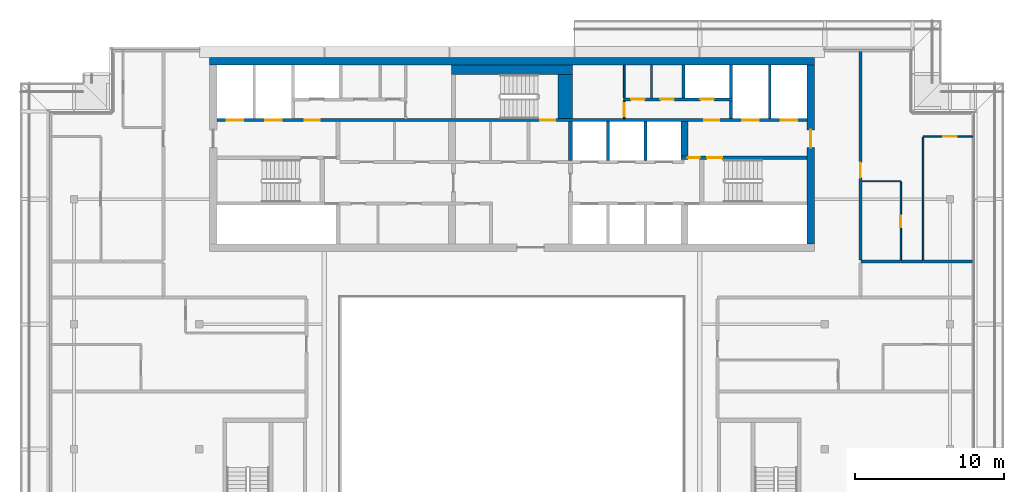
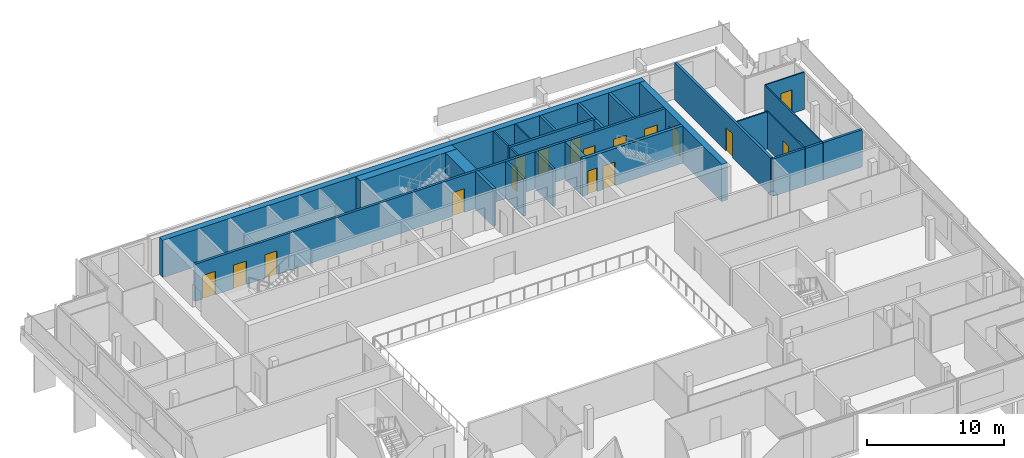
# One storey, part 20 of 27: 26 walls, 17 doors, 17 openings.
"""IFC4 building model written with IfcOpenShell, lengths in metres."""

from ifc_helpers import new_model, si_unit, direction, frame, frame_2d, origin, place, context, subcontext, project, spatial, rectangle, extrude, material, layer, layer_set, type_object, element, fill, save


model = new_model("IFC4")

# Units and contexts
model_context = context("Model", 3, precision=1e-05, world=origin(), true_north=direction((0.0, 1.0)))
body_context = subcontext(model_context, "Body", "Model", "MODEL_VIEW")
ifc_project = project(units=[si_unit("LENGTHUNIT", "METRE"), si_unit("AREAUNIT", "SQUARE_METRE"), si_unit("VOLUMEUNIT", "CUBIC_METRE"), si_unit("PLANEANGLEUNIT", "RADIAN"), si_unit("MASSUNIT", "GRAM", prefix="KILO")], contexts=[model_context])

# Site, building, storey
site_placement = place(None, origin())
site = spatial("IfcSite", under=ifc_project, at=site_placement, CompositionType="ELEMENT")
building_placement = place(site_placement, origin())
building = spatial("IfcBuilding", under=site, at=building_placement, Name="Saffron Gate Tower", CompositionType="ELEMENT")
storey_placement = place(building_placement, frame((0.0, 0.0, 274.35009765625)))
storey = spatial("IfcBuildingStorey", under=building, at=storey_placement, Name="L66", CompositionType="ELEMENT", Elevation=274.35009765625)

# Wall
ifc_material_1 = material(Name="Concrete C50", Category="concrete")
ifc_layer_1 = layer(ifc_material_1, 0.5)
ifc_layer_set_1 = layer_set([ifc_layer_1], Name="CW22 RC core wall 500 C50")
wall_type_1 = type_object("IfcWallType", Name="CW22 RC core wall 500 C50", PredefinedType="SOLIDWALL", material=ifc_layer_set_1)
wall_1_placement = place(storey_placement, frame((67.300048828125, 74.64990234375, 0.0), z_axis=(0.0, 0.0, 1.0), x_axis=(1.0, 0.0, 0.0)))
element("IfcWall", 1, at=wall_1_placement, inside=storey, type_object=wall_type_1, Name="Wall CW22-L66-2", PredefinedType="SOLIDWALL", context=body_context, shape_type="SweptSolid", body=[
    extrude(rectangle(XDim=40.599853515625, YDim=0.5, at=frame_2d((20.2998046875, 0.0))), origin(), (0.0, 0.0, 1.0), 3.31982421875),
])

# Wall, opening, door
wall_2_placement = place(storey_placement, frame((107.64990234375, 62.39990234375, 0.0), z_axis=(0.0, 0.0, 1.0), x_axis=(0.0, 1.0, 0.0)))
wall_2 = element("IfcWall", 2, at=wall_2_placement, inside=storey, type_object=wall_type_1, Name="Wall CW22-L66-4", PredefinedType="SOLIDWALL", context=body_context, shape_type="SweptSolid", body=[
    extrude(rectangle(XDim=12.0, YDim=0.5, at=frame_2d((6.0, 0.0))), origin(), (0.0, 0.0, 1.0), 3.31982421875),
])
opening_1_placement = place(wall_2_placement, frame((6.449951171875, 0.0, 0.0)))
opening_1 = element("IfcOpeningElement", 3, at=opening_1_placement, cuts=wall_2, Name="Opening CR-08", PredefinedType="OPENING", context=body_context, shape_type="SweptSolid", body=[
    extrude(rectangle(XDim=1.199951171875, YDim=2.10009765625, at=frame_2d((0.60009765625, 1.050048828125))), frame((0.0, 0.260009765625, 0.0), z_axis=(0.0, -1.0, 0.0), x_axis=(1.0, 0.0, 0.0)), (0.0, 0.0, 1.0), 0.52001953125),
])
ifc_material_2 = material(Name="Steel fire door set", Category="steel")
door_type_1 = type_object("IfcDoorType", Name="CD7 Core entrance door 1200x2100 EI 120", OperationType="NOTDEFINED", PredefinedType="DOOR", material=ifc_material_2)
door_1_placement = place(opening_1_placement, origin())
door_1 = element("IfcDoor", 4, at=door_1_placement, inside=storey, type_object=door_type_1, Name="DOOR CR-08", OperationType="SINGLE_SWING_RIGHT", OverallHeight=2.10009765625, OverallWidth=1.199951171875, PredefinedType="DOOR", context=body_context, shape_type="SweptSolid", body=[
    extrude(rectangle(XDim=1.199951171875, YDim=2.10009765625, at=frame_2d((0.60009765625, 1.050048828125))), frame((0.0, 0.02490234375, 0.0), z_axis=(0.0, -1.0, 0.0), x_axis=(1.0, 0.0, 0.0)), (0.0, 0.0, 1.0), 0.050048828125),
])
fill(opening_1, door_1)

# Wall
ifc_layer_2 = layer(ifc_material_1, 0.25)
ifc_layer_set_2 = layer_set([ifc_layer_2], Name="CW23 RC core wall 250 C50")
wall_type_2 = type_object("IfcWallType", Name="CW23 RC core wall 250 C50", PredefinedType="SOLIDWALL", material=ifc_layer_set_2)
wall_3_placement = place(storey_placement, frame((91.52490234375, 68.0, 0.0), z_axis=(0.0, 0.0, 1.0), x_axis=(0.0, 1.0, 0.0)))
element("IfcWall", 5, at=wall_3_placement, inside=storey, type_object=wall_type_2, Name="Wall CW23-L66-24", PredefinedType="SOLIDWALL", context=body_context, shape_type="SweptSolid", body=[
    extrude(rectangle(XDim=2.60009765625, YDim=0.25, at=frame_2d((1.300048828125, 0.0))), origin(), (0.0, 0.0, 1.0), 3.31982421875),
])

# Wall, openings, doors
wall_4_placement = place(storey_placement, frame((98.949951171875, 68.175048828125, 0.0), z_axis=(0.0, 0.0, 1.0), x_axis=(1.0, 0.0, 0.0)))
wall_4 = element("IfcWall", 6, at=wall_4_placement, inside=storey, type_object=wall_type_2, Name="Wall CW23-L66-29", PredefinedType="SOLIDWALL", context=body_context, shape_type="SweptSolid", body=[
    extrude(rectangle(XDim=8.449951171875, YDim=0.25, at=frame_2d((4.22509765625, 0.0))), origin(), (0.0, 0.0, 1.0), 3.31982421875),
])
opening_2_placement = place(wall_4_placement, frame((0.449951171875, 0.0, 0.0)))
opening_2 = element("IfcOpeningElement", 7, at=opening_2_placement, cuts=wall_4, Name="Opening CR-05", PredefinedType="OPENING", context=body_context, shape_type="SweptSolid", body=[
    extrude(rectangle(XDim=0.800048828125, YDim=2.10009765625, at=frame_2d((0.39990234375, 1.050048828125))), frame((0.0, 0.135009765625, 0.0), z_axis=(0.0, -1.0, 0.0), x_axis=(1.0, 0.0, 0.0)), (0.0, 0.0, 1.0), 0.27001953125),
])
opening_3_placement = place(wall_4_placement, frame((1.75, 0.0, 0.0)))
opening_3 = element("IfcOpeningElement", 8, at=opening_3_placement, cuts=wall_4, Name="Opening CR-16", PredefinedType="OPENING", context=body_context, shape_type="SweptSolid", body=[
    extrude(rectangle(XDim=1.0, YDim=2.10009765625, at=frame_2d((0.5, 1.050048828125))), frame((0.0, 0.135009765625, 0.0), z_axis=(0.0, -1.0, 0.0), x_axis=(1.0, 0.0, 0.0)), (0.0, 0.0, 1.0), 0.27001953125),
])
door_type_2 = type_object("IfcDoorType", Name="CD5 Stair door 1000x2100 EI 120", OperationType="NOTDEFINED", PredefinedType="DOOR", material=ifc_material_2)
door_2_placement = place(opening_3_placement, origin())
door_2 = element("IfcDoor", 9, at=door_2_placement, inside=storey, type_object=door_type_2, Name="DOOR CR-16", OperationType="SINGLE_SWING_RIGHT", OverallHeight=2.10009765625, OverallWidth=1.0, PredefinedType="DOOR", context=body_context, shape_type="SweptSolid", body=[
    extrude(rectangle(XDim=1.0, YDim=2.10009765625, at=frame_2d((0.5, 1.050048828125))), frame((0.0, 0.02490234375, 0.0), z_axis=(0.0, -1.0, 0.0), x_axis=(1.0, 0.0, 0.0)), (0.0, 0.0, 1.0), 0.050048828125),
])
fill(opening_3, door_2)
door_type_3 = type_object("IfcDoorType", Name="CD6 Lobby door 800x2100 EI 120", OperationType="NOTDEFINED", PredefinedType="DOOR", material=ifc_material_2)
door_3_placement = place(opening_2_placement, origin())
door_3 = element("IfcDoor", 10, at=door_3_placement, inside=storey, type_object=door_type_3, Name="DOOR CR-05", OperationType="SINGLE_SWING_LEFT", OverallHeight=2.10009765625, OverallWidth=0.800048828125, PredefinedType="DOOR", context=body_context, shape_type="SweptSolid", body=[
    extrude(rectangle(XDim=0.800048828125, YDim=2.10009765625, at=frame_2d((0.39990234375, 1.050048828125))), frame((0.0, 0.02490234375, 0.0), z_axis=(0.0, -1.0, 0.0), x_axis=(1.0, 0.0, 0.0)), (0.0, 0.0, 1.0), 0.050048828125),
])
fill(opening_2, door_3)

# Walls
ifc_layer_3 = layer(ifc_material_1, 0.449951171875)
ifc_layer_set_3 = layer_set([ifc_layer_3], Name="CW24 RC core wall 450 C50")
wall_type_3 = type_object("IfcWallType", Name="CW24 RC core wall 450 C50", PredefinedType="SOLIDWALL", material=ifc_layer_set_3)
wall_5_placement = place(storey_placement, frame((99.175048828125, 68.300048828125, 0.0), z_axis=(0.0, 0.0, 1.0), x_axis=(0.0, 1.0, 0.0)))
element("IfcWall", 11, at=wall_5_placement, inside=storey, type_object=wall_type_3, Name="Wall CW24-L66-31", PredefinedType="SOLIDWALL", context=body_context, shape_type="SweptSolid", body=[
    extrude(rectangle(XDim=2.300048828125, YDim=0.449951171875, at=frame_2d((1.14990234375, 0.0))), origin(), (0.0, 0.0, 1.0), 3.31982421875),
])
ifc_layer_4 = layer(ifc_material_1, 0.199951171875)
ifc_layer_set_4 = layer_set([ifc_layer_4], Name="CW25 RC core wall 200 C50")
wall_type_4 = type_object("IfcWallType", Name="CW25 RC core wall 200 C50", PredefinedType="SOLIDWALL", material=ifc_layer_set_4)
for number, where, z_axis, x_axis, name in (
    (12, (94.050048828125, 68.0, 0.0), (0.0, 0.0, 1.0), (0.0, 1.0, 0.0), "Wall CW25-L66-25"),
    (13, (96.550048828125, 68.0, 0.0), (0.0, 0.0, 1.0), (0.0, 1.0, 0.0), "Wall CW25-L66-26"),
):
    element("IfcWall", number, at=place(storey_placement, frame(where, z_axis=z_axis, x_axis=x_axis)), inside=storey, type_object=wall_type_4, Name=name, PredefinedType="SOLIDWALL", context=body_context, shape_type="SweptSolid", body=[
        extrude(rectangle(XDim=2.60009765625, YDim=0.199951171875, at=frame_2d((1.300048828125, 0.0))), origin(), (0.0, 0.0, 1.0), 3.31982421875),
    ])

# Wall, openings, doors
wall_6_placement = place(storey_placement, frame((67.800048828125, 70.699951171875, 0.0), z_axis=(0.0, 0.0, 1.0), x_axis=(1.0, 0.0, 0.0)))
wall_6 = element("IfcWall", 14, at=wall_6_placement, inside=storey, type_object=wall_type_4, Name="Wall CW25-L66-32", PredefinedType="SOLIDWALL", context=body_context, shape_type="SweptSolid", body=[
    extrude(rectangle(XDim=39.599853515625, YDim=0.199951171875, at=frame_2d((19.7998046875, 0.0))), origin(), (0.0, 0.0, 1.0), 3.31982421875),
])
opening_4_placement = place(wall_6_placement, frame((0.64990234375, 0.0, 0.0)))
opening_4 = element("IfcOpeningElement", 15, at=opening_4_placement, cuts=wall_6, Name="Opening LD-FF1", PredefinedType="OPENING", context=body_context, shape_type="SweptSolid", body=[
    extrude(rectangle(XDim=1.10009765625, YDim=2.10009765625, at=frame_2d((0.550048828125, 1.050048828125))), frame((0.0, 0.10986328125, 0.0), z_axis=(0.0, -1.0, 0.0), x_axis=(1.0, 0.0, 0.0)), (0.0, 0.0, 1.0), 0.219970703125),
])
opening_5_placement = place(wall_6_placement, frame((3.25, 0.0, 0.0)))
opening_5 = element("IfcOpeningElement", 16, at=opening_5_placement, cuts=wall_6, Name="Opening LD-SV1", PredefinedType="OPENING", context=body_context, shape_type="SweptSolid", body=[
    extrude(rectangle(XDim=1.10009765625, YDim=2.10009765625, at=frame_2d((0.550048828125, 1.050048828125))), frame((0.0, 0.10986328125, 0.0), z_axis=(0.0, -1.0, 0.0), x_axis=(1.0, 0.0, 0.0)), (0.0, 0.0, 1.0), 0.219970703125),
])
opening_6_placement = place(wall_6_placement, frame((5.89990234375, 0.0, 0.0)))
opening_6 = element("IfcOpeningElement", 17, at=opening_6_placement, cuts=wall_6, Name="Opening CR-03", PredefinedType="OPENING", context=body_context, shape_type="SweptSolid", body=[
    extrude(rectangle(XDim=1.0, YDim=2.10009765625, at=frame_2d((0.5, 1.050048828125))), frame((0.0, 0.10986328125, 0.0), z_axis=(0.0, -1.0, 0.0), x_axis=(1.0, 0.0, 0.0)), (0.0, 0.0, 1.0), 0.219970703125),
])
opening_7_placement = place(wall_6_placement, frame((21.699951171875, 0.0, 0.0)))
opening_7 = element("IfcOpeningElement", 18, at=opening_7_placement, cuts=wall_6, Name="Opening CR-17", PredefinedType="OPENING", context=body_context, shape_type="SweptSolid", body=[
    extrude(rectangle(XDim=1.0, YDim=2.10009765625, at=frame_2d((0.5, 1.050048828125))), frame((0.0, 0.10986328125, 0.0), z_axis=(0.0, -1.0, 0.0), x_axis=(1.0, 0.0, 0.0)), (0.0, 0.0, 1.0), 0.219970703125),
])
opening_8_placement = place(wall_6_placement, frame((32.699951171875, 0.0, 0.0)))
opening_8 = element("IfcOpeningElement", 19, at=opening_8_placement, cuts=wall_6, Name="Opening CR-04", PredefinedType="OPENING", context=body_context, shape_type="SweptSolid", body=[
    extrude(rectangle(XDim=1.0, YDim=2.10009765625, at=frame_2d((0.5, 1.050048828125))), frame((0.0, 0.10986328125, 0.0), z_axis=(0.0, -1.0, 0.0), x_axis=(1.0, 0.0, 0.0)), (0.0, 0.0, 1.0), 0.219970703125),
])
opening_9_placement = place(wall_6_placement, frame((35.25, 0.0, 0.0)))
opening_9 = element("IfcOpeningElement", 20, at=opening_9_placement, cuts=wall_6, Name="Opening LD-SV2", PredefinedType="OPENING", context=body_context, shape_type="SweptSolid", body=[
    extrude(rectangle(XDim=1.10009765625, YDim=2.10009765625, at=frame_2d((0.550048828125, 1.050048828125))), frame((0.0, 0.10986328125, 0.0), z_axis=(0.0, -1.0, 0.0), x_axis=(1.0, 0.0, 0.0)), (0.0, 0.0, 1.0), 0.219970703125),
])
opening_10_placement = place(wall_6_placement, frame((37.85009765625, 0.0, 0.0)))
opening_10 = element("IfcOpeningElement", 21, at=opening_10_placement, cuts=wall_6, Name="Opening LD-FF2", PredefinedType="OPENING", context=body_context, shape_type="SweptSolid", body=[
    extrude(rectangle(XDim=1.10009765625, YDim=2.10009765625, at=frame_2d((0.550048828125, 1.050048828125))), frame((0.0, 0.10986328125, 0.0), z_axis=(0.0, -1.0, 0.0), x_axis=(1.0, 0.0, 0.0)), (0.0, 0.0, 1.0), 0.219970703125),
])
door_type_4 = type_object("IfcDoorType", Name="CD4 Lobby door 1000x2100 EI 120", OperationType="NOTDEFINED", PredefinedType="DOOR", material=ifc_material_2)
door_4_placement = place(opening_6_placement, origin())
door_4 = element("IfcDoor", 22, at=door_4_placement, inside=storey, type_object=door_type_4, Name="DOOR CR-03", OperationType="SINGLE_SWING_LEFT", OverallHeight=2.10009765625, OverallWidth=1.0, PredefinedType="DOOR", context=body_context, shape_type="SweptSolid", body=[
    extrude(rectangle(XDim=1.0, YDim=2.10009765625, at=frame_2d((0.5, 1.050048828125))), frame((0.0, 0.02490234375, 0.0), z_axis=(0.0, -1.0, 0.0), x_axis=(1.0, 0.0, 0.0)), (0.0, 0.0, 1.0), 0.050048828125),
])
fill(opening_6, door_4)
door_5_placement = place(opening_8_placement, origin())
door_5 = element("IfcDoor", 23, at=door_5_placement, inside=storey, type_object=door_type_4, Name="DOOR CR-04", OperationType="SINGLE_SWING_RIGHT", OverallHeight=2.10009765625, OverallWidth=1.0, PredefinedType="DOOR", context=body_context, shape_type="SweptSolid", body=[
    extrude(rectangle(XDim=1.0, YDim=2.10009765625, at=frame_2d((0.5, 1.050048828125))), frame((0.0, 0.02490234375, 0.0), z_axis=(0.0, -1.0, 0.0), x_axis=(1.0, 0.0, 0.0)), (0.0, 0.0, 1.0), 0.050048828125),
])
fill(opening_8, door_5)
door_6_placement = place(opening_7_placement, origin())
door_6 = element("IfcDoor", 24, at=door_6_placement, inside=storey, type_object=door_type_2, Name="DOOR CR-17", OperationType="SINGLE_SWING_RIGHT", OverallHeight=2.10009765625, OverallWidth=1.0, PredefinedType="DOOR", context=body_context, shape_type="SweptSolid", body=[
    extrude(rectangle(XDim=1.0, YDim=2.10009765625, at=frame_2d((0.5, 1.050048828125))), frame((0.0, 0.02490234375, 0.0), z_axis=(0.0, -1.0, 0.0), x_axis=(1.0, 0.0, 0.0)), (0.0, 0.0, 1.0), 0.050048828125),
])
fill(opening_7, door_6)
ifc_material_3 = material(Name="Stainless steel landing door", Category="steel")
door_type_5 = type_object("IfcDoorType", Name="LD Lift landing door 1100x2100 EI 120", OperationType="SLIDING_TO_LEFT", PredefinedType="DOOR", material=ifc_material_3)
door_7_placement = place(opening_4_placement, origin())
door_7 = element("IfcDoor", 25, at=door_7_placement, inside=storey, type_object=door_type_5, Name="LANDING DOOR LD-FF1", OperationType="SLIDING_TO_RIGHT", OverallHeight=2.10009765625, OverallWidth=1.10009765625, PredefinedType="DOOR", context=body_context, shape_type="SweptSolid", body=[
    extrude(rectangle(XDim=1.10009765625, YDim=2.10009765625, at=frame_2d((0.550048828125, 1.050048828125))), frame((0.0, 0.02490234375, 0.0), z_axis=(0.0, -1.0, 0.0), x_axis=(1.0, 0.0, 0.0)), (0.0, 0.0, 1.0), 0.050048828125),
])
fill(opening_4, door_7)
door_8_placement = place(opening_5_placement, origin())
door_8 = element("IfcDoor", 26, at=door_8_placement, inside=storey, type_object=door_type_5, Name="LANDING DOOR LD-SV1", OperationType="SLIDING_TO_RIGHT", OverallHeight=2.10009765625, OverallWidth=1.10009765625, PredefinedType="DOOR", context=body_context, shape_type="SweptSolid", body=[
    extrude(rectangle(XDim=1.10009765625, YDim=2.10009765625, at=frame_2d((0.550048828125, 1.050048828125))), frame((0.0, 0.02490234375, 0.0), z_axis=(0.0, -1.0, 0.0), x_axis=(1.0, 0.0, 0.0)), (0.0, 0.0, 1.0), 0.050048828125),
])
fill(opening_5, door_8)
door_9_placement = place(opening_9_placement, origin())
door_9 = element("IfcDoor", 27, at=door_9_placement, inside=storey, type_object=door_type_5, Name="LANDING DOOR LD-SV2", OperationType="SLIDING_TO_RIGHT", OverallHeight=2.10009765625, OverallWidth=1.10009765625, PredefinedType="DOOR", context=body_context, shape_type="SweptSolid", body=[
    extrude(rectangle(XDim=1.10009765625, YDim=2.10009765625, at=frame_2d((0.550048828125, 1.050048828125))), frame((0.0, 0.02490234375, 0.0), z_axis=(0.0, -1.0, 0.0), x_axis=(1.0, 0.0, 0.0)), (0.0, 0.0, 1.0), 0.050048828125),
])
fill(opening_9, door_9)
door_10_placement = place(opening_10_placement, origin())
door_10 = element("IfcDoor", 28, at=door_10_placement, inside=storey, type_object=door_type_5, Name="LANDING DOOR LD-FF2", OperationType="SLIDING_TO_RIGHT", OverallHeight=2.10009765625, OverallWidth=1.10009765625, PredefinedType="DOOR", context=body_context, shape_type="SweptSolid", body=[
    extrude(rectangle(XDim=1.10009765625, YDim=2.10009765625, at=frame_2d((0.550048828125, 1.050048828125))), frame((0.0, 0.02490234375, 0.0), z_axis=(0.0, -1.0, 0.0), x_axis=(1.0, 0.0, 0.0)), (0.0, 0.0, 1.0), 0.050048828125),
])
fill(opening_10, door_10)

# Walls
wall_7_placement = place(storey_placement, frame((102.300048828125, 70.800048828125, 0.0), z_axis=(0.0, 0.0, 1.0), x_axis=(0.0, 1.0, 0.0)))
element("IfcWall", 29, at=wall_7_placement, inside=storey, type_object=wall_type_4, Name="Wall CW25-L66-39", PredefinedType="SOLIDWALL", context=body_context, shape_type="SweptSolid", body=[
    extrude(rectangle(XDim=1.199951171875, YDim=0.199951171875, at=frame_2d((0.60009765625, 0.0))), origin(), (0.0, 0.0, 1.0), 3.31982421875),
])
wall_8_placement = place(storey_placement, frame((104.89990234375, 70.800048828125, 0.0), z_axis=(0.0, 0.0, 1.0), x_axis=(0.0, 1.0, 0.0)))
element("IfcWall", 30, at=wall_8_placement, inside=storey, type_object=wall_type_4, Name="Wall CW25-L66-40", PredefinedType="SOLIDWALL", context=body_context, shape_type="SweptSolid", body=[
    extrude(rectangle(XDim=3.599853515625, YDim=0.199951171875, at=frame_2d((1.7998046875, 0.0))), origin(), (0.0, 0.0, 1.0), 3.31982421875),
])

# Wall, openings, doors
wall_9_placement = place(storey_placement, frame((95.080078125, 72.10009765625, 0.0), z_axis=(0.0, 0.0, 1.0), x_axis=(1.0, 0.0, 0.0)))
wall_9 = element("IfcWall", 31, at=wall_9_placement, inside=storey, type_object=wall_type_4, Name="Wall CW25-L66-42", PredefinedType="SOLIDWALL", context=body_context, shape_type="SweptSolid", body=[
    extrude(rectangle(XDim=7.31982421875, YDim=0.199951171875, at=frame_2d((3.659912109375, 0.0))), origin(), (0.0, 0.0, 1.0), 3.31982421875),
])
opening_11_placement = place(wall_9_placement, frame((0.52001953125, 0.0, 0.0)))
opening_11 = element("IfcOpeningElement", 32, at=opening_11_placement, cuts=wall_9, Name="Opening CR-50", PredefinedType="OPENING", context=body_context, shape_type="SweptSolid", body=[
    extrude(rectangle(XDim=0.89990234375, YDim=2.10009765625, at=frame_2d((0.449951171875, 1.050048828125))), frame((0.0, 0.10986328125, 0.0), z_axis=(0.0, -1.0, 0.0), x_axis=(1.0, 0.0, 0.0)), (0.0, 0.0, 1.0), 0.219970703125),
])
opening_12_placement = place(wall_9_placement, frame((2.47998046875, 0.0, 0.0)))
opening_12 = element("IfcOpeningElement", 33, at=opening_12_placement, cuts=wall_9, Name="Opening CR-53", PredefinedType="OPENING", context=body_context, shape_type="SweptSolid", body=[
    extrude(rectangle(XDim=0.89990234375, YDim=2.10009765625, at=frame_2d((0.449951171875, 1.050048828125))), frame((0.0, 0.10986328125, 0.0), z_axis=(0.0, -1.0, 0.0), x_axis=(1.0, 0.0, 0.0)), (0.0, 0.0, 1.0), 0.219970703125),
])
opening_13_placement = place(wall_9_placement, frame((5.169921875, 0.0, 0.0)))
opening_13 = element("IfcOpeningElement", 34, at=opening_13_placement, cuts=wall_9, Name="Opening CR-70", PredefinedType="OPENING", context=body_context, shape_type="SweptSolid", body=[
    extrude(rectangle(XDim=0.89990234375, YDim=2.10009765625, at=frame_2d((0.449951171875, 1.050048828125))), frame((0.0, 0.10986328125, 0.0), z_axis=(0.0, -1.0, 0.0), x_axis=(1.0, 0.0, 0.0)), (0.0, 0.0, 1.0), 0.219970703125),
])
door_type_6 = type_object("IfcDoorType", Name="CD2 Riser door 900x2100 EI 60", OperationType="NOTDEFINED", PredefinedType="DOOR", material=ifc_material_2)
door_11_placement = place(opening_13_placement, origin())
door_11 = element("IfcDoor", 35, at=door_11_placement, inside=storey, type_object=door_type_6, Name="DOOR CR-70", OperationType="SINGLE_SWING_LEFT", OverallHeight=2.10009765625, OverallWidth=0.89990234375, PredefinedType="DOOR", context=body_context, shape_type="SweptSolid", body=[
    extrude(rectangle(XDim=0.89990234375, YDim=2.10009765625, at=frame_2d((0.449951171875, 1.050048828125))), frame((0.0, 0.02490234375, 0.0), z_axis=(0.0, -1.0, 0.0), x_axis=(1.0, 0.0, 0.0)), (0.0, 0.0, 1.0), 0.050048828125),
])
fill(opening_13, door_11)
door_type_7 = type_object("IfcDoorType", Name="CD9 Room door 900x2100 EI 60", OperationType="NOTDEFINED", PredefinedType="DOOR", material=ifc_material_2)
door_12_placement = place(opening_11_placement, origin())
door_12 = element("IfcDoor", 36, at=door_12_placement, inside=storey, type_object=door_type_7, Name="DOOR CR-50", OperationType="SINGLE_SWING_LEFT", OverallHeight=2.10009765625, OverallWidth=0.89990234375, PredefinedType="DOOR", context=body_context, shape_type="SweptSolid", body=[
    extrude(rectangle(XDim=0.89990234375, YDim=2.10009765625, at=frame_2d((0.449951171875, 1.050048828125))), frame((0.0, 0.02490234375, 0.0), z_axis=(0.0, -1.0, 0.0), x_axis=(1.0, 0.0, 0.0)), (0.0, 0.0, 1.0), 0.050048828125),
])
fill(opening_11, door_12)
door_13_placement = place(opening_12_placement, origin())
door_13 = element("IfcDoor", 37, at=door_13_placement, inside=storey, type_object=door_type_7, Name="DOOR CR-53", OperationType="SINGLE_SWING_LEFT", OverallHeight=2.10009765625, OverallWidth=0.89990234375, PredefinedType="DOOR", context=body_context, shape_type="SweptSolid", body=[
    extrude(rectangle(XDim=0.89990234375, YDim=2.10009765625, at=frame_2d((0.449951171875, 1.050048828125))), frame((0.0, 0.02490234375, 0.0), z_axis=(0.0, -1.0, 0.0), x_axis=(1.0, 0.0, 0.0)), (0.0, 0.0, 1.0), 0.050048828125),
])
fill(opening_12, door_13)

# Walls
for number, where, z_axis, x_axis, name in (
    (38, (99.10009765625, 72.199951171875, 0.0), (0.0, 0.0, 1.0), (0.0, 1.0, 0.0), "Wall CW25-L66-49"),
    (39, (102.300048828125, 72.199951171875, 0.0), (0.0, 0.0, 1.0), (0.0, 1.0, 0.0), "Wall CW25-L66-50"),
):
    element("IfcWall", number, at=place(storey_placement, frame(where, z_axis=z_axis, x_axis=x_axis)), inside=storey, type_object=wall_type_4, Name=name, PredefinedType="SOLIDWALL", context=body_context, shape_type="SweptSolid", body=[
        extrude(rectangle(XDim=2.199951171875, YDim=0.199951171875, at=frame_2d((1.10009765625, 0.0))), origin(), (0.0, 0.0, 1.0), 3.31982421875),
    ])
ifc_layer_5 = layer(ifc_material_1, 0.949951171875)
ifc_layer_set_5 = layer_set([ifc_layer_5], Name="CW28 RC core wall 950 C50")
wall_type_5 = type_object("IfcWallType", Name="CW28 RC core wall 950 C50", PredefinedType="SOLIDWALL", material=ifc_layer_set_5)
wall_10_placement = place(storey_placement, frame((91.175048828125, 70.800048828125, 0.0), z_axis=(0.0, 0.0, 1.0), x_axis=(0.0, 1.0, 0.0)))
element("IfcWall", 40, at=wall_10_placement, inside=storey, type_object=wall_type_5, Name="Wall CW28-L66-37", PredefinedType="SOLIDWALL", context=body_context, shape_type="SweptSolid", body=[
    extrude(rectangle(XDim=2.949951171875, YDim=0.949951171875, at=frame_2d((1.47509765625, 0.0))), origin(), (0.0, 0.0, 1.0), 3.31982421875),
])
ifc_layer_6 = layer(ifc_material_1, 0.64990234375)
ifc_layer_set_6 = layer_set([ifc_layer_6], Name="CW29 RC core wall 650 C50")
wall_type_6 = type_object("IfcWallType", Name="CW29 RC core wall 650 C50", PredefinedType="SOLIDWALL", material=ifc_layer_set_6)
wall_11_placement = place(storey_placement, frame((83.550048828125, 74.074951171875, 0.0), z_axis=(0.0, 0.0, 1.0), x_axis=(1.0, 0.0, 0.0)))
element("IfcWall", 41, at=wall_11_placement, inside=storey, type_object=wall_type_6, Name="Wall CW29-L66-51", PredefinedType="SOLIDWALL", context=body_context, shape_type="SweptSolid", body=[
    extrude(rectangle(XDim=8.099853515625, YDim=0.64990234375, at=frame_2d((4.0498046875, 0.0))), origin(), (0.0, 0.0, 1.0), 3.31982421875),
])

# Wall, opening, door
ifc_material_4 = material(Name="Gypsum board partition on steel studs", Category="steel")
ifc_layer_7 = layer(ifc_material_4, 0.1201171875)
ifc_layer_set_7 = layer_set([ifc_layer_7], Name="CW8 Core partition 120")
wall_type_7 = type_object("IfcWallType", Name="CW8 Core partition 120", PredefinedType="PARTITIONING", material=ifc_layer_set_7)
wall_12_placement = place(storey_placement, frame((95.139892578125, 70.800048828125, 0.0), z_axis=(0.0, 0.0, 1.0), x_axis=(0.0, 1.0, 0.0)))
wall_12 = element("IfcWall", 42, at=wall_12_placement, inside=storey, type_object=wall_type_7, Name="Wall CW8-L66-38", PredefinedType="PARTITIONING", context=body_context, shape_type="SweptSolid", body=[
    extrude(rectangle(XDim=1.199951171875, YDim=0.1201171875, at=frame_2d((0.60009765625, 0.0))), origin(), (0.0, 0.0, 1.0), 3.31982421875),
])
opening_14_placement = place(wall_12_placement, frame((0.14990234375, 0.0, 0.0)))
opening_14 = element("IfcOpeningElement", 43, at=opening_14_placement, cuts=wall_12, Name="Opening CR-54", PredefinedType="OPENING", context=body_context, shape_type="SweptSolid", body=[
    extrude(rectangle(XDim=0.89990234375, YDim=2.10009765625, at=frame_2d((0.449951171875, 1.050048828125))), frame((0.0, 0.070068359375, 0.0), z_axis=(0.0, -1.0, 0.0), x_axis=(1.0, 0.0, 0.0)), (0.0, 0.0, 1.0), 0.14013671875),
])
door_14_placement = place(opening_14_placement, origin())
door_14 = element("IfcDoor", 44, at=door_14_placement, inside=storey, type_object=door_type_7, Name="DOOR CR-54", OperationType="SINGLE_SWING_LEFT", OverallHeight=2.10009765625, OverallWidth=0.89990234375, PredefinedType="DOOR", context=body_context, shape_type="SweptSolid", body=[
    extrude(rectangle(XDim=0.89990234375, YDim=2.10009765625, at=frame_2d((0.449951171875, 1.050048828125))), frame((0.0, 0.02490234375, 0.0), z_axis=(0.0, -1.0, 0.0), x_axis=(1.0, 0.0, 0.0)), (0.0, 0.0, 1.0), 0.050048828125),
])
fill(opening_14, door_14)

# Walls
for number, where, z_axis, x_axis, name in (
    (45, (95.139892578125, 72.199951171875, 0.0), (0.0, 0.0, 1.0), (0.0, 1.0, 0.0), "Wall CW8-L66-47"),
    (46, (96.9599609375, 72.199951171875, 0.0), (0.0, 0.0, 1.0), (0.0, 1.0, 0.0), "Wall CW8-L66-48"),
):
    element("IfcWall", number, at=place(storey_placement, frame(where, z_axis=z_axis, x_axis=x_axis)), inside=storey, type_object=wall_type_7, Name=name, PredefinedType="PARTITIONING", context=body_context, shape_type="SweptSolid", body=[
        extrude(rectangle(XDim=2.199951171875, YDim=0.1201171875, at=frame_2d((1.10009765625, 0.0))), origin(), (0.0, 0.0, 1.0), 3.31982421875),
    ])
ifc_material_5 = material(Name="Plasterboard on steel studs", Category="steel")
ifc_layer_8 = layer(ifc_material_5, 0.10009765625)
ifc_layer_set_8 = layer_set([ifc_layer_8], Name="PW1 Partition 100")
wall_type_8 = type_object("IfcWallType", Name="PW1 Partition 100", PredefinedType="PARTITIONING", material=ifc_layer_set_8)
wall_13_placement = place(storey_placement, frame((111.10009765625, 66.60009765625, 0.0), z_axis=(0.0, 0.0, 1.0), x_axis=(1.0, 0.0, 0.0)))
element("IfcWall", 47, at=wall_13_placement, inside=storey, type_object=wall_type_8, Name="Partition E3-28", PredefinedType="PARTITIONING", context=body_context, shape_type="SweptSolid", body=[
    extrude(rectangle(XDim=2.599853515625, YDim=0.10009765625, at=frame_2d((1.2998046875, 0.0))), origin(), (0.0, 0.0, 1.0), 3.31982421875),
])

# Wall, opening, door
wall_14_placement = place(storey_placement, frame((118.52001953125, 69.60009765625, 0.0), z_axis=(0.0, 0.0, 1.0), x_axis=(-1.0, 0.0, 0.0)))
wall_14 = element("IfcWall", 48, at=wall_14_placement, inside=storey, type_object=wall_type_8, Name="Partition E3-30", PredefinedType="PARTITIONING", context=body_context, shape_type="SweptSolid", body=[
    extrude(rectangle(XDim=3.320068359375, YDim=0.10009765625, at=frame_2d((1.66015625, 0.0))), origin(), (0.0, 0.0, 1.0), 3.31982421875),
])
opening_15_placement = place(wall_14_placement, frame((1.070068359375, 0.0, 0.0)))
opening_15 = element("IfcOpeningElement", 49, at=opening_15_placement, cuts=wall_14, Name="Opening E3-21", PredefinedType="OPENING", context=body_context, shape_type="SweptSolid", body=[
    extrude(rectangle(XDim=0.89990234375, YDim=2.10009765625, at=frame_2d((0.449951171875, 1.050048828125))), frame((0.0, 0.06005859375, 0.0), z_axis=(0.0, -1.0, 0.0), x_axis=(1.0, 0.0, 0.0)), (0.0, 0.0, 1.0), 0.1201171875),
])
ifc_material_6 = material(Name="Timber door set", Category="wood")
door_type_8 = type_object("IfcDoorType", Name="RD1 Room door 900x2100", OperationType="NOTDEFINED", PredefinedType="DOOR", material=ifc_material_6)
door_15_placement = place(opening_15_placement, origin())
door_15 = element("IfcDoor", 50, at=door_15_placement, inside=storey, type_object=door_type_8, Name="Door E3-21", OperationType="SINGLE_SWING_LEFT", OverallHeight=2.10009765625, OverallWidth=0.89990234375, PredefinedType="DOOR", context=body_context, shape_type="SweptSolid", body=[
    extrude(rectangle(XDim=0.89990234375, YDim=2.10009765625, at=frame_2d((0.449951171875, 1.050048828125))), frame((0.0, 0.02490234375, 0.0), z_axis=(0.0, -1.0, 0.0), x_axis=(1.0, 0.0, 0.0)), (0.0, 0.0, 1.0), 0.050048828125),
])
fill(opening_15, door_15)

wall_15_placement = place(storey_placement, frame((113.699951171875, 61.300048828125, 0.0), z_axis=(0.0, 0.0, 1.0), x_axis=(0.0, 1.0, 0.0)))
wall_15 = element("IfcWall", 51, at=wall_15_placement, inside=storey, type_object=wall_type_8, Name="Partition E3-71", PredefinedType="PARTITIONING", context=body_context, shape_type="SweptSolid", body=[
    extrude(rectangle(XDim=5.25, YDim=0.10009765625, at=frame_2d((2.625, 0.0))), origin(), (0.0, 0.0, 1.0), 3.31982421875),
])
opening_16_placement = place(wall_15_placement, frame((2.199951171875, 0.0, 0.0)))
opening_16 = element("IfcOpeningElement", 52, at=opening_16_placement, cuts=wall_15, Name="Opening E3-31", PredefinedType="OPENING", context=body_context, shape_type="SweptSolid", body=[
    extrude(rectangle(XDim=0.800048828125, YDim=2.10009765625, at=frame_2d((0.39990234375, 1.050048828125))), frame((0.0, 0.06005859375, 0.0), z_axis=(0.0, -1.0, 0.0), x_axis=(1.0, 0.0, 0.0)), (0.0, 0.0, 1.0), 0.1201171875),
])
door_type_9 = type_object("IfcDoorType", Name="RD2 Bathroom door 800x2100", OperationType="NOTDEFINED", PredefinedType="DOOR", material=ifc_material_6)
door_16_placement = place(opening_16_placement, origin())
door_16 = element("IfcDoor", 53, at=door_16_placement, inside=storey, type_object=door_type_9, Name="Door E3-31", OperationType="SINGLE_SWING_LEFT", OverallHeight=2.10009765625, OverallWidth=0.800048828125, PredefinedType="DOOR", context=body_context, shape_type="SweptSolid", body=[
    extrude(rectangle(XDim=0.800048828125, YDim=2.10009765625, at=frame_2d((0.39990234375, 1.050048828125))), frame((0.0, 0.02490234375, 0.0), z_axis=(0.0, -1.0, 0.0), x_axis=(1.0, 0.0, 0.0)), (0.0, 0.0, 1.0), 0.050048828125),
])
fill(opening_16, door_16)

# Wall
wall_16_placement = place(storey_placement, frame((115.199951171875, 69.550048828125, 0.0), z_axis=(0.0, 0.0, 1.0), x_axis=(0.0, -1.0, 0.0)))
element("IfcWall", 54, at=wall_16_placement, inside=storey, type_object=wall_type_8, Name="Partition E3-72", PredefinedType="PARTITIONING", context=body_context, shape_type="SweptSolid", body=[
    extrude(rectangle(XDim=8.25, YDim=0.10009765625, at=frame_2d((4.125, 0.0))), origin(), (0.0, 0.0, 1.0), 3.31982421875),
])

# Wall, opening, door
ifc_material_7 = material(Name="Clay brick masonry, rendered", Category="masonry")
ifc_layer_9 = layer(ifc_material_7, 0.199951171875)
ifc_layer_set_9 = layer_set([ifc_layer_9], Name="PW3 Corridor wall 200")
wall_type_9 = type_object("IfcWallType", Name="PW3 Corridor wall 200", PredefinedType="PARTITIONING", material=ifc_layer_set_9)
wall_17_placement = place(storey_placement, frame((111.0, 75.320068359375, 0.0), z_axis=(0.0, 0.0, 1.0), x_axis=(0.0, -1.0, 0.0)))
wall_17 = element("IfcWall", 55, at=wall_17_placement, inside=storey, type_object=wall_type_9, Name="Wall E3-66", PredefinedType="PARTITIONING", context=body_context, shape_type="SweptSolid", body=[
    extrude(rectangle(XDim=14.02001953125, YDim=0.199951171875, at=frame_2d((7.010009765625, 0.0))), origin(), (0.0, 0.0, 1.0), 3.31982421875),
])
opening_17_placement = place(wall_17_placement, frame((7.469970703125, 0.0, 0.0)))
opening_17 = element("IfcOpeningElement", 56, at=opening_17_placement, cuts=wall_17, Name="Opening E3-7", PredefinedType="OPENING", context=body_context, shape_type="SweptSolid", body=[
    extrude(rectangle(XDim=1.0, YDim=2.10009765625, at=frame_2d((0.5, 1.050048828125))), frame((0.0, 0.10986328125, 0.0), z_axis=(0.0, -1.0, 0.0), x_axis=(1.0, 0.0, 0.0)), (0.0, 0.0, 1.0), 0.219970703125),
])
ifc_material_8 = material(Name="Timber fire door set", Category="wood")
door_type_10 = type_object("IfcDoorType", Name="FD1 Flat entry door 1000x2100", OperationType="NOTDEFINED", PredefinedType="DOOR", material=ifc_material_8)
door_17_placement = place(opening_17_placement, origin())
door_17 = element("IfcDoor", 57, at=door_17_placement, inside=storey, type_object=door_type_10, Name="Door E3-7", OperationType="SINGLE_SWING_RIGHT", OverallHeight=2.10009765625, OverallWidth=1.0, PredefinedType="DOOR", context=body_context, shape_type="SweptSolid", body=[
    extrude(rectangle(XDim=1.0, YDim=2.10009765625, at=frame_2d((0.5, 1.050048828125))), frame((0.0, 0.02490234375, 0.0), z_axis=(0.0, -1.0, 0.0), x_axis=(1.0, 0.0, 0.0)), (0.0, 0.0, 1.0), 0.050048828125),
])
fill(opening_17, door_17)

# Walls
ifc_layer_10 = layer(ifc_material_7, 0.199951171875)
ifc_layer_set_10 = layer_set([ifc_layer_10], Name="PW5 Room wall 200")
wall_type_10 = type_object("IfcWallType", Name="PW5 Room wall 200", PredefinedType="PARTITIONING", material=ifc_layer_set_10)
wall_18_placement = place(storey_placement, frame((111.02001953125, 61.199951171875, 0.0), z_axis=(0.0, 0.0, 1.0), x_axis=(1.0, 0.0, 0.0)))
element("IfcWall", 58, at=wall_18_placement, inside=storey, type_object=wall_type_10, Name="Wall E3-25", PredefinedType="PARTITIONING", context=body_context, shape_type="SweptSolid", body=[
    extrude(rectangle(XDim=2.659912109375, YDim=0.199951171875, at=frame_2d((1.330078125, 0.0))), origin(), (0.0, 0.0, 1.0), 3.31982421875),
])
wall_19_placement = place(storey_placement, frame((113.719970703125, 61.199951171875, 0.0), z_axis=(0.0, 0.0, 1.0), x_axis=(1.0, 0.0, 0.0)))
element("IfcWall", 59, at=wall_19_placement, inside=storey, type_object=wall_type_10, Name="Wall E3-26", PredefinedType="PARTITIONING", context=body_context, shape_type="SweptSolid", body=[
    extrude(rectangle(XDim=1.4599609375, YDim=0.199951171875, at=frame_2d((0.72998046875, 0.0))), origin(), (0.0, 0.0, 1.0), 3.31982421875),
])
wall_20_placement = place(storey_placement, frame((115.219970703125, 61.199951171875, 0.0), z_axis=(0.0, 0.0, 1.0), x_axis=(1.0, 0.0, 0.0)))
element("IfcWall", 60, at=wall_20_placement, inside=storey, type_object=wall_type_10, Name="Wall E3-27", PredefinedType="PARTITIONING", context=body_context, shape_type="SweptSolid", body=[
    extrude(rectangle(XDim=3.280029296875, YDim=0.199951171875, at=frame_2d((1.64013671875, 0.0))), origin(), (0.0, 0.0, 1.0), 3.31982421875),
])

save(model, "model.ifc")
